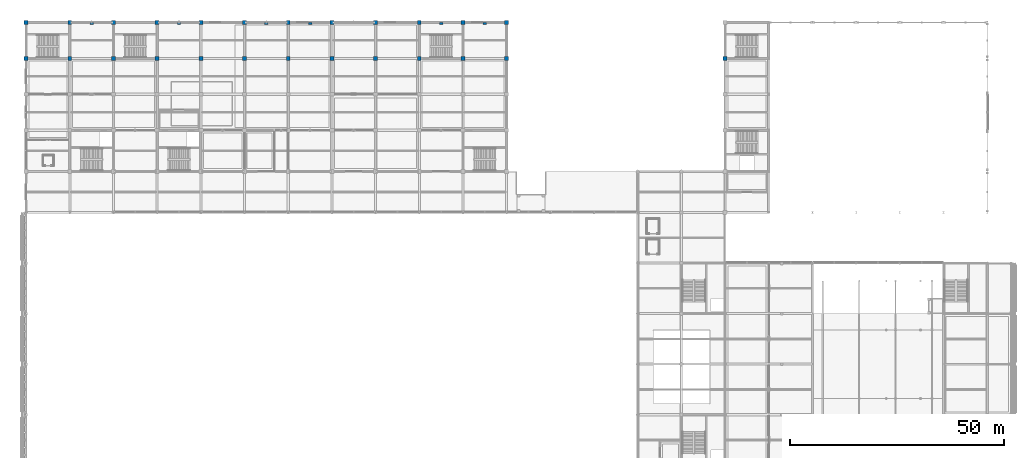
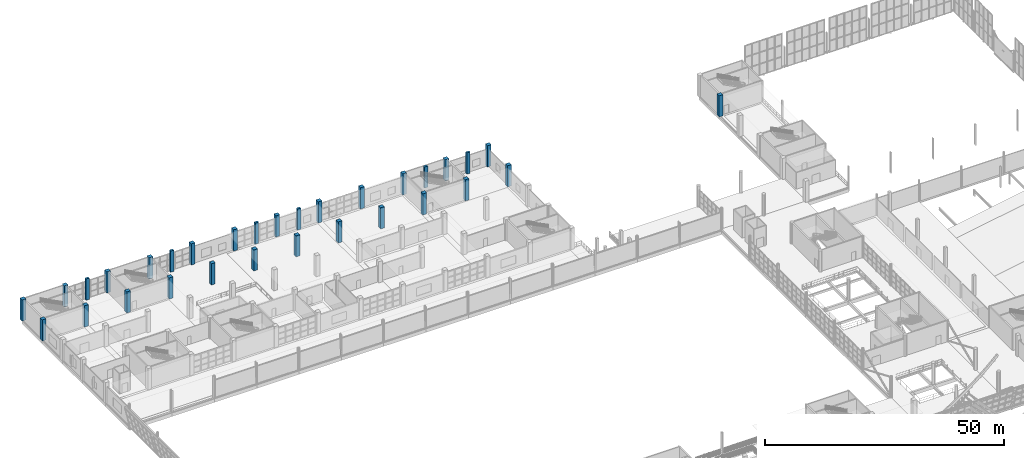
# One storey, part 18 of 175: 31 columns.
"""IFC4 building model written with IfcOpenShell, lengths in metres."""

from ifc_helpers import new_model, si_unit, direction, frame, origin, origin_2d, place, context, subcontext, project, spatial, rectangle, extrude, material, material_profile, profile_set, type_object, element, save


model = new_model("IFC4")

# Units and contexts
model_context = context("Model", 3, precision=1e-05, world=origin(), true_north=direction((0.0, 1.0)))
body_context = subcontext(model_context, "Body", "Model", "MODEL_VIEW")
ifc_project = project(units=[si_unit("LENGTHUNIT", "METRE"), si_unit("AREAUNIT", "SQUARE_METRE"), si_unit("VOLUMEUNIT", "CUBIC_METRE"), si_unit("PLANEANGLEUNIT", "RADIAN"), si_unit("MASSUNIT", "GRAM", prefix="KILO")], contexts=[model_context])

# Site, building, storey
site_placement = place(None, origin())
site = spatial("IfcSite", under=ifc_project, at=site_placement, CompositionType="ELEMENT")
building_placement = place(site_placement, origin())
building = spatial("IfcBuilding", under=site, at=building_placement, Name="Brelvane Convention Centre", CompositionType="ELEMENT")
storey_placement = place(building_placement, frame((0.0, 0.0, 5.39990234375)))
storey = spatial("IfcBuildingStorey", under=building, at=storey_placement, Name="L01", CompositionType="ELEMENT", Elevation=5.39990234375)

# Columns
ifc_material_1 = material(Name="Concrete M50", Category="concrete")
ifc_material_profile_1 = material_profile(ifc_material_1, rectangle(XDim=0.89990234375, YDim=0.89990234375, at=origin_2d()), Name="RC 900x900")
ifc_profile_set_1 = profile_set([ifc_material_profile_1], Name="Concrete M50")
column_type_1 = type_object("IfcColumnType", Name="RC Column C-RC2 (RC 900x900)", PredefinedType="COLUMN", material=ifc_profile_set_1)
for number, where, z_axis, x_axis, name in (
    (1, (0.0, 135.60009765625, 0.0), (0.0, 0.0, 1.0), (1.0, 0.0, 0.0), "Column 1-P (L01)"),
    (2, (0.0, 144.0, 0.0), (0.0, 0.0, 1.0), (1.0, 0.0, 0.0), "Column 1-Q (L01)"),
    (3, (10.199951171875, 135.60009765625, 0.0), (0.0, 0.0, 1.0), (1.0, 0.0, 0.0), "Column 2-P (L01)"),
    (4, (10.199951171875, 144.0, 0.0), (0.0, 0.0, 1.0), (1.0, 0.0, 0.0), "Column 2-Q (L01)"),
    (5, (20.39990234375, 135.60009765625, 0.0), (0.0, 0.0, 1.0), (1.0, 0.0, 0.0), "Column 3-P (L01)"),
    (6, (20.39990234375, 144.0, 0.0), (0.0, 0.0, 1.0), (1.0, 0.0, 0.0), "Column 3-Q (L01)"),
    (7, (30.60009765625, 135.60009765625, 0.0), (0.0, 0.0, 1.0), (1.0, 0.0, 0.0), "Column 4-P (L01)"),
    (8, (30.60009765625, 144.0, 0.0), (0.0, 0.0, 1.0), (1.0, 0.0, 0.0), "Column 4-Q (L01)"),
    (9, (40.800048828125, 135.60009765625, 0.0), (0.0, 0.0, 1.0), (1.0, 0.0, 0.0), "Column 5-P (L01)"),
    (10, (40.800048828125, 144.0, 0.0), (0.0, 0.0, 1.0), (1.0, 0.0, 0.0), "Column 5-Q (L01)"),
    (11, (51.0, 135.60009765625, 0.0), (0.0, 0.0, 1.0), (1.0, 0.0, 0.0), "Column 6-P (L01)"),
    (12, (51.0, 144.0, 0.0), (0.0, 0.0, 1.0), (1.0, 0.0, 0.0), "Column 6-Q (L01)"),
    (13, (61.199951171875, 135.60009765625, 0.0), (0.0, 0.0, 1.0), (1.0, 0.0, 0.0), "Column 7-P (L01)"),
    (14, (61.199951171875, 144.0, 0.0), (0.0, 0.0, 1.0), (1.0, 0.0, 0.0), "Column 7-Q (L01)"),
    (15, (71.39990234375, 135.60009765625, 0.0), (0.0, 0.0, 1.0), (1.0, 0.0, 0.0), "Column 8-P (L01)"),
    (16, (71.39990234375, 144.0, 0.0), (0.0, 0.0, 1.0), (1.0, 0.0, 0.0), "Column 8-Q (L01)"),
    (17, (81.60009765625, 135.60009765625, 0.0), (0.0, 0.0, 1.0), (1.0, 0.0, 0.0), "Column 9-P (L01)"),
    (18, (81.60009765625, 144.0, 0.0), (0.0, 0.0, 1.0), (1.0, 0.0, 0.0), "Column 9-Q (L01)"),
    (19, (91.800048828125, 135.60009765625, 0.0), (0.0, 0.0, 1.0), (1.0, 0.0, 0.0), "Column 10-P (L01)"),
    (20, (91.800048828125, 144.0, 0.0), (0.0, 0.0, 1.0), (1.0, 0.0, 0.0), "Column 10-Q (L01)"),
    (21, (102.0, 135.60009765625, 0.0), (0.0, 0.0, 1.0), (1.0, 0.0, 0.0), "Column 11-P (L01)"),
    (22, (102.0, 144.0, 0.0), (0.0, 0.0, 1.0), (1.0, 0.0, 0.0), "Column 11-Q (L01)"),
    (23, (112.199951171875, 135.60009765625, 0.0), (0.0, 0.0, 1.0), (1.0, 0.0, 0.0), "Column 12-P (L01)"),
    (24, (112.199951171875, 144.0, 0.0), (0.0, 0.0, 1.0), (1.0, 0.0, 0.0), "Column 12-Q (L01)"),
    (25, (163.199951171875, 135.60009765625, 0.0), (0.0, 0.0, 1.0), (1.0, 0.0, 0.0), "Column 17-P (L01)"),
):
    element("IfcColumn", number, at=place(storey_placement, frame(where, z_axis=z_axis, x_axis=x_axis)), inside=storey, type_object=column_type_1, Name=name, PredefinedType="COLUMN", context=body_context, shape_type="SweptSolid", body=[
        extrude(rectangle(XDim=0.89990234375, YDim=0.89990234375, at=origin_2d()), origin(), (0.0, 0.0, 1.0), 5.400146484375),
    ])
ifc_material_2 = material(Name="Concrete M50", Category="concrete")
ifc_material_profile_2 = material_profile(ifc_material_2, rectangle(XDim=0.800048828125, YDim=0.5, at=origin_2d()), Name="RC 800x500")
ifc_profile_set_2 = profile_set([ifc_material_profile_2], Name="Concrete M50")
column_type_2 = type_object("IfcColumnType", Name="RC Column PL-RC2 (RC 800x500)", PredefinedType="PILASTER", material=ifc_profile_set_2)
for number, where, z_axis, x_axis, name in (
    (26, (15.300048828125, 143.699951171875, 0.0), (0.0, 0.0, 1.0), (1.0, 0.0, 0.0), "Rear Wing Structural Pier P1 (L01)"),
    (27, (35.699951171875, 143.699951171875, 0.0), (0.0, 0.0, 1.0), (1.0, 0.0, 0.0), "Rear Wing Structural Pier P2 (L01)"),
    (28, (56.10009765625, 143.699951171875, 0.0), (0.0, 0.0, 1.0), (1.0, 0.0, 0.0), "Rear Wing Structural Pier P3 (L01)"),
    (29, (66.300048828125, 143.699951171875, 0.0), (0.0, 0.0, 1.0), (1.0, 0.0, 0.0), "Rear Wing Structural Pier P4 (L01)"),
    (30, (96.89990234375, 143.699951171875, 0.0), (0.0, 0.0, 1.0), (1.0, 0.0, 0.0), "Rear Wing Structural Pier P5 (L01)"),
    (31, (107.10009765625, 143.699951171875, 0.0), (0.0, 0.0, 1.0), (1.0, 0.0, 0.0), "Rear Wing Structural Pier P6 (L01)"),
):
    element("IfcColumn", number, at=place(storey_placement, frame(where, z_axis=z_axis, x_axis=x_axis)), inside=storey, type_object=column_type_2, Name=name, PredefinedType="PILASTER", context=body_context, shape_type="SweptSolid", body=[
        extrude(rectangle(XDim=0.800048828125, YDim=0.5, at=origin_2d()), origin(), (0.0, 0.0, 1.0), 5.400146484375),
    ])

save(model, "model.ifc")
